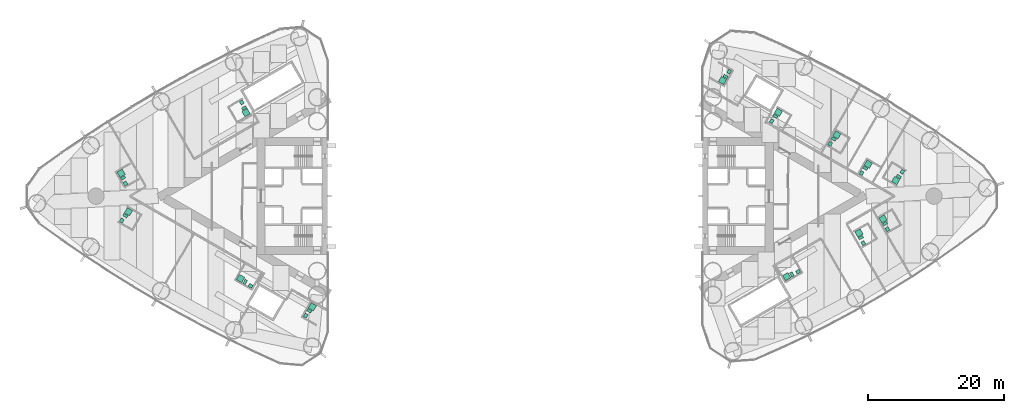
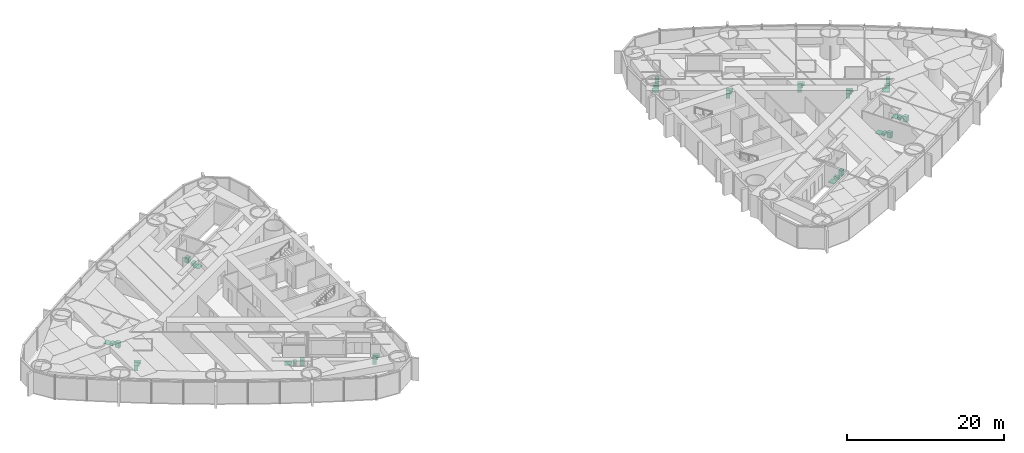
# One storey, part 18 of 18: 17 sanitary terminals.
"""IFC4 building model written with IfcOpenShell, lengths in metres."""

from ifc_helpers import new_model, si_unit, direction, frame, origin, origin_2d, place, context, subcontext, project, spatial, rectangle, extrude, material, type_object, element, save


model = new_model("IFC4")

# Units and contexts
model_context = context("Model", 3, precision=1e-05, world=origin(), true_north=direction((0.0, 1.0)))
body_context = subcontext(model_context, "Body", "Model", "MODEL_VIEW")
ifc_project = project(units=[si_unit("LENGTHUNIT", "METRE"), si_unit("AREAUNIT", "SQUARE_METRE"), si_unit("VOLUMEUNIT", "CUBIC_METRE"), si_unit("PLANEANGLEUNIT", "RADIAN"), si_unit("MASSUNIT", "GRAM", prefix="KILO")], contexts=[model_context])

# Site, building, storey
site_placement = place(None, origin())
site = spatial("IfcSite", under=ifc_project, at=site_placement, CompositionType="ELEMENT")
building_placement = place(site_placement, origin())
building = spatial("IfcBuilding", under=site, at=building_placement, Name="Lancet Gate Hotel", CompositionType="ELEMENT")
storey_placement = place(building_placement, frame((0.0, 0.0, 108.10009765625)))
storey = spatial("IfcBuildingStorey", under=building, at=storey_placement, Name="L28", CompositionType="ELEMENT", Elevation=108.10009765625)

# Sanitary terminals
ifc_material_1 = material(Name="Vitreous china sanitary ware")
sanitary_terminal_type_1 = type_object("IfcSanitaryTerminalType", Name="En-suite sanitary set (shower, WC, basin)", PredefinedType="USERDEFINED", material=ifc_material_1)
sanitary_terminal_1_placement = place(storey_placement, frame((-57.81689453125, 3.355224609375, 0.0), z_axis=(0.0, 0.0, 1.0), x_axis=(1.0, 0.0, 0.0)))
element("IfcSanitaryTerminal", 1, at=sanitary_terminal_1_placement, inside=storey, type_object=sanitary_terminal_type_1, Name="En-suite sanitary set (shower, WC, basin) 2804", ObjectType="EN-SUITE SANITARY SET", PredefinedType="USERDEFINED", context=body_context, shape_type="SweptSolid", body=[
    extrude(rectangle(XDim=0.89990234375, YDim=0.89990234375, at=origin_2d()), frame((0.0, 0.0, 0.0), z_axis=(0.0, 0.0, 1.0), x_axis=(-0.5, 0.866025403784, 0.0)), (0.0, 0.0, 1.0), 0.050048828125),
    extrude(rectangle(XDim=0.39990234375, YDim=0.699951171875, at=origin_2d()), frame((0.2783203125, -0.68212890625, 0.0), z_axis=(0.0, 0.0, 1.0), x_axis=(-0.5, 0.866025403784, 0.0)), (0.0, 0.0, 1.0), 0.39990234375),
    extrude(rectangle(XDim=0.60009765625, YDim=0.5, at=origin_2d()), frame((0.6318359375, -1.494384765625, 0.0), z_axis=(0.0, 0.0, 1.0), x_axis=(-0.5, 0.866025403784, 0.0)), (0.0, 0.0, 1.0), 0.85009765625),
])
sanitary_terminal_2_placement = place(storey_placement, frame((-56.745849609375, -2.28759765625, 0.0), z_axis=(0.0, 0.0, 1.0), x_axis=(1.0, 0.0, 0.0)))
element("IfcSanitaryTerminal", 2, at=sanitary_terminal_2_placement, inside=storey, type_object=sanitary_terminal_type_1, Name="En-suite sanitary set (shower, WC, basin) 2805", ObjectType="EN-SUITE SANITARY SET", PredefinedType="USERDEFINED", context=body_context, shape_type="SweptSolid", body=[
    extrude(rectangle(XDim=0.89990234375, YDim=0.89990234375, at=origin_2d()), frame((0.0, 0.0, 0.0), z_axis=(0.0, 0.0, 1.0), x_axis=(0.5, 0.866025403784, 0.0)), (0.0, 0.0, 1.0), 0.050048828125),
    extrude(rectangle(XDim=0.39990234375, YDim=0.699951171875, at=origin_2d()), frame((-0.45166015625, -0.582275390625, 0.0), z_axis=(0.0, 0.0, 1.0), x_axis=(0.5, 0.866025403784, 0.0)), (0.0, 0.0, 1.0), 0.39990234375),
    extrude(rectangle(XDim=0.60009765625, YDim=0.5, at=origin_2d()), frame((-0.978271484375, -1.29443359375, 0.0), z_axis=(0.0, 0.0, 1.0), x_axis=(0.5, 0.866025403784, 0.0)), (0.0, 0.0, 1.0), 0.85009765625),
])
sanitary_terminal_3_placement = place(storey_placement, frame((-39.488525390625, 12.251220703125, 0.0), z_axis=(0.0, 0.0, 1.0), x_axis=(1.0, 0.0, 0.0)))
element("IfcSanitaryTerminal", 3, at=sanitary_terminal_3_placement, inside=storey, type_object=sanitary_terminal_type_1, Name="En-suite sanitary set (shower, WC, basin) 2802", ObjectType="EN-SUITE SANITARY SET", PredefinedType="USERDEFINED", context=body_context, shape_type="SweptSolid", body=[
    extrude(rectangle(XDim=0.89990234375, YDim=0.89990234375, at=origin_2d()), frame((0.0, 0.0, 0.0), z_axis=(0.0, 0.0, 1.0), x_axis=(0.5, -0.866025403784, 0.0)), (0.0, 0.0, 1.0), 0.050048828125),
    extrude(rectangle(XDim=0.39990234375, YDim=0.699951171875, at=origin_2d()), frame((-0.2783203125, 0.68212890625, 0.0), z_axis=(0.0, 0.0, 1.0), x_axis=(0.5, -0.866025403784, 0.0)), (0.0, 0.0, 1.0), 0.39990234375),
    extrude(rectangle(XDim=0.60009765625, YDim=0.5, at=origin_2d()), frame((-0.6318359375, 1.494384765625, 0.0), z_axis=(0.0, 0.0, 1.0), x_axis=(0.5, -0.866025403784, 0.0)), (0.0, 0.0, 1.0), 0.85009765625),
])
sanitary_terminal_4_placement = place(storey_placement, frame((-29.751708984375, -16.256103515625, 0.0), z_axis=(0.0, 0.0, 1.0), x_axis=(1.0, 0.0, 0.0)))
element("IfcSanitaryTerminal", 4, at=sanitary_terminal_4_placement, inside=storey, type_object=sanitary_terminal_type_1, Name="En-suite sanitary set (shower, WC, basin) 2808", ObjectType="EN-SUITE SANITARY SET", PredefinedType="USERDEFINED", context=body_context, shape_type="SweptSolid", body=[
    extrude(rectangle(XDim=0.89990234375, YDim=0.89990234375, at=origin_2d()), frame((0.0, 0.0, 0.0), z_axis=(0.0, 0.0, 1.0), x_axis=(0.5, 0.866025403784, 0.0)), (0.0, 0.0, 1.0), 0.050048828125),
    extrude(rectangle(XDim=0.39990234375, YDim=0.699951171875, at=origin_2d()), frame((-0.45166015625, -0.582275390625, 0.0), z_axis=(0.0, 0.0, 1.0), x_axis=(0.5, 0.866025403784, 0.0)), (0.0, 0.0, 1.0), 0.39990234375),
    extrude(rectangle(XDim=0.60009765625, YDim=0.5, at=origin_2d()), frame((-0.978271484375, -1.29443359375, 0.0), z_axis=(0.0, 0.0, 1.0), x_axis=(0.5, 0.866025403784, 0.0)), (0.0, 0.0, 1.0), 0.85009765625),
])
sanitary_terminal_5_placement = place(storey_placement, frame((50.478515625, -5.406005859375, 0.0), z_axis=(0.0, 0.0, 1.0), x_axis=(1.0, 0.0, 0.0)))
element("IfcSanitaryTerminal", 5, at=sanitary_terminal_5_placement, inside=storey, type_object=sanitary_terminal_type_1, Name="En-suite sanitary set (shower, WC, basin) 2856", ObjectType="EN-SUITE SANITARY SET", PredefinedType="USERDEFINED", context=body_context, shape_type="SweptSolid", body=[
    extrude(rectangle(XDim=0.89990234375, YDim=0.89990234375, at=origin_2d()), frame((0.0, 0.0, 0.0), z_axis=(0.0, 0.0, 1.0), x_axis=(-0.5, 0.866025403784, 0.0)), (0.0, 0.0, 1.0), 0.050048828125),
    extrude(rectangle(XDim=0.39990234375, YDim=0.699951171875, at=origin_2d()), frame((0.278564453125, -0.682373046875, 0.0), z_axis=(0.0, 0.0, 1.0), x_axis=(-0.5, 0.866025403784, 0.0)), (0.0, 0.0, 1.0), 0.39990234375),
    extrude(rectangle(XDim=0.60009765625, YDim=0.5, at=origin_2d()), frame((0.6318359375, -1.494384765625, 0.0), z_axis=(0.0, 0.0, 1.0), x_axis=(-0.5, 0.866025403784, 0.0)), (0.0, 0.0, 1.0), 0.85009765625),
])
sanitary_terminal_6_placement = place(storey_placement, frame((54.02490234375, -3.358642578125, 0.0), z_axis=(0.0, 0.0, 1.0), x_axis=(1.0, 0.0, 0.0)))
element("IfcSanitaryTerminal", 6, at=sanitary_terminal_6_placement, inside=storey, type_object=sanitary_terminal_type_1, Name="En-suite sanitary set (shower, WC, basin) 2857", ObjectType="EN-SUITE SANITARY SET", PredefinedType="USERDEFINED", context=body_context, shape_type="SweptSolid", body=[
    extrude(rectangle(XDim=0.89990234375, YDim=0.89990234375, at=origin_2d()), frame((0.0, 0.0, 0.0), z_axis=(0.0, 0.0, 1.0), x_axis=(-0.5, 0.866025403784, 0.0)), (0.0, 0.0, 1.0), 0.050048828125),
    extrude(rectangle(XDim=0.39990234375, YDim=0.699951171875, at=origin_2d()), frame((0.278564453125, -0.68212890625, 0.0), z_axis=(0.0, 0.0, 1.0), x_axis=(-0.5, 0.866025403784, 0.0)), (0.0, 0.0, 1.0), 0.39990234375),
    extrude(rectangle(XDim=0.60009765625, YDim=0.5, at=origin_2d()), frame((0.6318359375, -1.494140625, 0.0), z_axis=(0.0, 0.0, 1.0), x_axis=(-0.5, 0.866025403784, 0.0)), (0.0, 0.0, 1.0), 0.85009765625),
])
sanitary_terminal_7_placement = place(storey_placement, frame((55.8798828125, 2.28759765625, 0.0), z_axis=(0.0, 0.0, 1.0), x_axis=(1.0, 0.0, 0.0)))
element("IfcSanitaryTerminal", 7, at=sanitary_terminal_7_placement, inside=storey, type_object=sanitary_terminal_type_1, Name="En-suite sanitary set (shower, WC, basin) 2858", ObjectType="EN-SUITE SANITARY SET", PredefinedType="USERDEFINED", context=body_context, shape_type="SweptSolid", body=[
    extrude(rectangle(XDim=0.89990234375, YDim=0.89990234375, at=origin_2d()), frame((0.0, 0.0, 0.0), z_axis=(0.0, 0.0, 1.0), x_axis=(-0.5, -0.866025403784, 0.0)), (0.0, 0.0, 1.0), 0.050048828125),
    extrude(rectangle(XDim=0.39990234375, YDim=0.699951171875, at=origin_2d()), frame((0.45166015625, 0.582275390625, 0.0), z_axis=(0.0, 0.0, 1.0), x_axis=(-0.5, -0.866025403784, 0.0)), (0.0, 0.0, 1.0), 0.39990234375),
    extrude(rectangle(XDim=0.60009765625, YDim=0.5, at=origin_2d()), frame((0.978271484375, 1.29443359375, 0.0), z_axis=(0.0, 0.0, 1.0), x_axis=(-0.5, -0.866025403784, 0.0)), (0.0, 0.0, 1.0), 0.85009765625),
])
sanitary_terminal_8_placement = place(storey_placement, frame((51.8466796875, 4.685546875, 0.0), z_axis=(0.0, 0.0, 1.0), x_axis=(1.0, 0.0, 0.0)))
element("IfcSanitaryTerminal", 8, at=sanitary_terminal_8_placement, inside=storey, type_object=sanitary_terminal_type_1, Name="En-suite sanitary set (shower, WC, basin) 2859", ObjectType="EN-SUITE SANITARY SET", PredefinedType="USERDEFINED", context=body_context, shape_type="SweptSolid", body=[
    extrude(rectangle(XDim=0.89990234375, YDim=0.89990234375, at=origin_2d()), frame((0.0, 0.0, 0.0), z_axis=(0.0, 0.0, 1.0), x_axis=(0.5, 0.866025403784, 0.0)), (0.0, 0.0, 1.0), 0.050048828125),
    extrude(rectangle(XDim=0.39990234375, YDim=0.699951171875, at=origin_2d()), frame((-0.45166015625, -0.58203125, 0.0), z_axis=(0.0, 0.0, 1.0), x_axis=(0.5, 0.866025403784, 0.0)), (0.0, 0.0, 1.0), 0.39990234375),
    extrude(rectangle(XDim=0.60009765625, YDim=0.5, at=origin_2d()), frame((-0.978271484375, -1.294189453125, 0.0), z_axis=(0.0, 0.0, 1.0), x_axis=(0.5, 0.866025403784, 0.0)), (0.0, 0.0, 1.0), 0.85009765625),
])
for number, where, z_axis, x_axis, name in (
    (9, (47.227294921875, 8.96923828125, 0.0), (0.0, 0.0, 1.0), (1.0, 0.0, 0.0), "En-suite sanitary set (shower, WC, basin) 2860"),
    (10, (38.652587890625, 12.30322265625, 0.0), (0.0, 0.0, 1.0), (1.0, 0.0, 0.0), "En-suite sanitary set (shower, WC, basin) 2861"),
):
    element("IfcSanitaryTerminal", number, at=place(storey_placement, frame(where, z_axis=z_axis, x_axis=x_axis)), inside=storey, type_object=sanitary_terminal_type_1, Name=name, ObjectType="EN-SUITE SANITARY SET", PredefinedType="USERDEFINED", context=body_context, shape_type="SweptSolid", body=[
        extrude(rectangle(XDim=0.89990234375, YDim=0.89990234375, at=origin_2d()), frame((0.0, 0.0, 0.0), z_axis=(0.0, 0.0, 1.0), x_axis=(0.5, 0.866025403784, 0.0)), (0.0, 0.0, 1.0), 0.050048828125),
        extrude(rectangle(XDim=0.39990234375, YDim=0.699951171875, at=origin_2d()), frame((-0.45166015625, -0.582275390625, 0.0), z_axis=(0.0, 0.0, 1.0), x_axis=(0.5, 0.866025403784, 0.0)), (0.0, 0.0, 1.0), 0.39990234375),
        extrude(rectangle(XDim=0.60009765625, YDim=0.5, at=origin_2d()), frame((-0.978271484375, -1.29443359375, 0.0), z_axis=(0.0, 0.0, 1.0), x_axis=(0.5, 0.866025403784, 0.0)), (0.0, 0.0, 1.0), 0.85009765625),
    ])
sanitary_terminal_9_placement = place(storey_placement, frame((30.45166015625, 16.968505859375, 0.0), z_axis=(0.0, 0.0, 1.0), x_axis=(1.0, 0.0, 0.0)))
element("IfcSanitaryTerminal", 11, at=sanitary_terminal_9_placement, inside=storey, type_object=sanitary_terminal_type_1, Name="En-suite sanitary set (shower, WC, basin) 2864", ObjectType="EN-SUITE SANITARY SET", PredefinedType="USERDEFINED", context=body_context, shape_type="SweptSolid", body=[
    extrude(rectangle(XDim=0.89990234375, YDim=0.89990234375, at=origin_2d()), frame((0.0, 0.0, 0.0), z_axis=(0.0, 0.0, 1.0), x_axis=(-0.5, -0.866025403784, 0.0)), (0.0, 0.0, 1.0), 0.050048828125),
    extrude(rectangle(XDim=0.39990234375, YDim=0.699951171875, at=origin_2d()), frame((0.45166015625, 0.582275390625, 0.0), z_axis=(0.0, 0.0, 1.0), x_axis=(-0.5, -0.866025403784, 0.0)), (0.0, 0.0, 1.0), 0.39990234375),
    extrude(rectangle(XDim=0.60009765625, YDim=0.5, at=origin_2d()), frame((0.978271484375, 1.29443359375, 0.0), z_axis=(0.0, 0.0, 1.0), x_axis=(-0.5, -0.866025403784, 0.0)), (0.0, 0.0, 1.0), 0.85009765625),
])
ifc_material_2 = material(Name="Stone resin shower tray", Category="masonry")
sanitary_terminal_type_2 = type_object("IfcSanitaryTerminalType", Name="Shower tray 900", PredefinedType="SHOWER", material=ifc_material_2)
for number, where, z_axis, x_axis, name in (
    (12, (-40.2763671875, -12.0966796875, 0.0), (0.0, 0.0, 1.0), (-0.866025403784, 0.5, 0.0), "Shower tray 900 2807"),
    (13, (39.87841796875, -11.826416015625, 0.0), (0.0, 0.0, 1.0), (-0.866025403784, -0.5, 0.0), "Shower tray 900 2853"),
):
    element("IfcSanitaryTerminal", number, at=place(storey_placement, frame(where, z_axis=z_axis, x_axis=x_axis)), inside=storey, type_object=sanitary_terminal_type_2, Name=name, PredefinedType="SHOWER", context=body_context, shape_type="SweptSolid", body=[
        extrude(rectangle(XDim=0.89990234375, YDim=0.89990234375, at=origin_2d()), origin(), (0.0, 0.0, 1.0), 0.050048828125),
    ])
ifc_material_3 = material(Name="Vitreous china sanitary ware")
sanitary_terminal_type_3 = type_object("IfcSanitaryTerminalType", Name="Vanity basin 600", PredefinedType="WASHHANDBASIN", material=ifc_material_3)
for number, where, z_axis, x_axis, name in (
    (14, (-38.808837890625, -13.1748046875, -0.000244140625), (0.0, 0.0, 1.0), (-0.866025403784, 0.5, 0.0), "Vanity basin 600 2807"),
    (15, (41.5458984375, -11.094482421875, -0.000244140625), (0.0, 0.0, 1.0), (-0.866025403784, -0.5, 0.0), "Vanity basin 600 2853"),
):
    element("IfcSanitaryTerminal", number, at=place(storey_placement, frame(where, z_axis=z_axis, x_axis=x_axis)), inside=storey, type_object=sanitary_terminal_type_3, Name=name, PredefinedType="WASHHANDBASIN", context=body_context, shape_type="SweptSolid", body=[
        extrude(rectangle(XDim=0.60009765625, YDim=0.5, at=origin_2d()), origin(), (0.0, 0.0, 1.0), 0.85009765625),
    ])
ifc_material_4 = material(Name="Vitreous china sanitary ware")
sanitary_terminal_type_4 = type_object("IfcSanitaryTerminalType", Name="WC pan wall hung", PredefinedType="TOILETPAN", material=ifc_material_4)
for number, where, z_axis, x_axis, name in (
    (16, (-39.607421875, -12.59814453125, 0.0), (0.0, 0.0, 1.0), (-0.866025403784, 0.5, 0.0), "WC pan wall hung 2807"),
    (17, (40.647216796875, -11.497802734375, 0.0), (0.0, 0.0, 1.0), (-0.866025403784, -0.5, 0.0), "WC pan wall hung 2853"),
):
    element("IfcSanitaryTerminal", number, at=place(storey_placement, frame(where, z_axis=z_axis, x_axis=x_axis)), inside=storey, type_object=sanitary_terminal_type_4, Name=name, PredefinedType="TOILETPAN", context=body_context, shape_type="SweptSolid", body=[
        extrude(rectangle(XDim=0.39990234375, YDim=0.699951171875, at=origin_2d()), origin(), (0.0, 0.0, 1.0), 0.39990234375),
    ])

save(model, "model.ifc")
